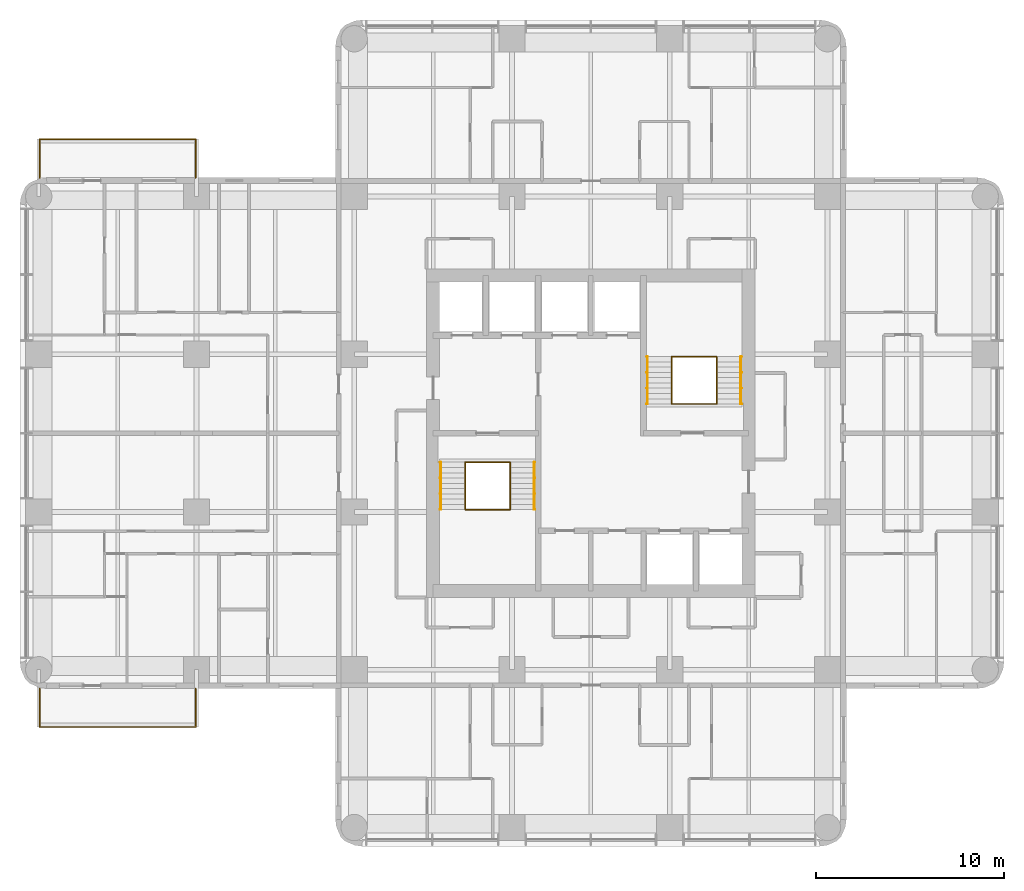
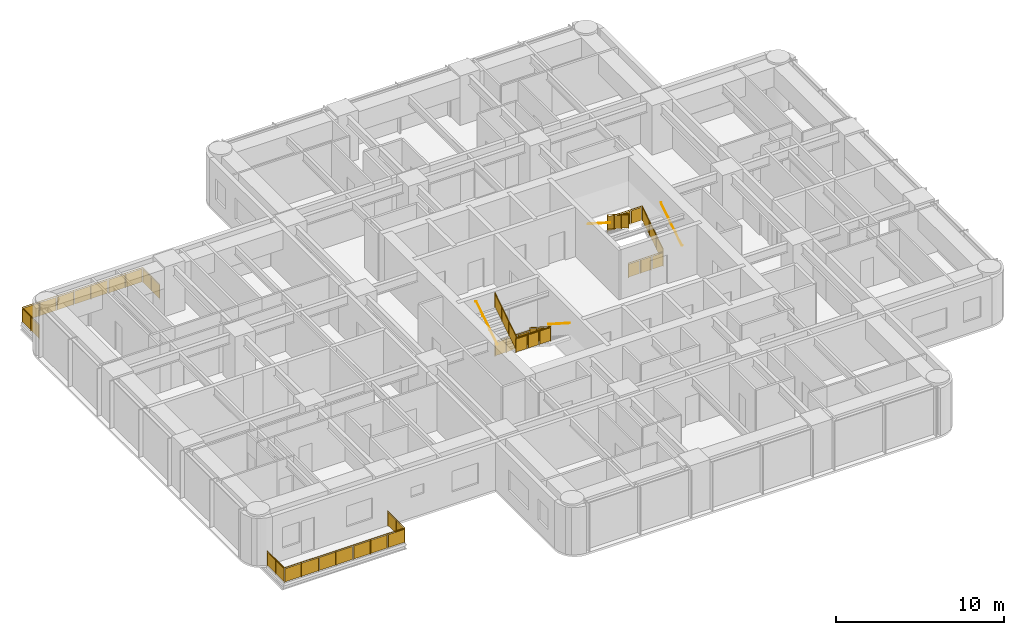
# One storey, part 11 of 11: 14 railings.
"""IFC4 building model written with IfcOpenShell, lengths in metres."""

from ifc_helpers import new_model, si_unit, direction, frame, origin, origin_2d, place, context, subcontext, project, spatial, polyline, circle, outline, extrude, material, constituent, constituent_set, type_object, element, save


model = new_model("IFC4")

# Units and contexts
model_context = context("Model", 3, precision=1e-05, world=origin(), true_north=direction((0.0, 1.0)))
body_context = subcontext(model_context, "Body", "Model", "MODEL_VIEW")
ifc_project = project(units=[si_unit("LENGTHUNIT", "METRE"), si_unit("AREAUNIT", "SQUARE_METRE"), si_unit("VOLUMEUNIT", "CUBIC_METRE"), si_unit("PLANEANGLEUNIT", "RADIAN"), si_unit("MASSUNIT", "GRAM", prefix="KILO")], contexts=[model_context])

# Site, building, storey
site_placement = place(None, origin())
site = spatial("IfcSite", under=ifc_project, at=site_placement, CompositionType="ELEMENT")
building_placement = place(site_placement, origin())
building = spatial("IfcBuilding", under=site, at=building_placement, Name="Torre Alcanfor", CompositionType="ELEMENT")
storey_placement = place(building_placement, frame((0.0, 0.0, 194.10009765625)))
storey = spatial("IfcBuildingStorey", under=building, at=storey_placement, Name="L50", CompositionType="ELEMENT", Elevation=194.10009765625)

# Railings
ifc_material_1 = material(Name="Laminated safety glass", Category="glass")
ifc_constituent_1 = constituent(ifc_material_1, Name="Infill")
ifc_material_2 = material(Name="Stainless steel ASTM A554 Grade MT 316L tube", Category="steel")
ifc_constituent_2 = constituent(ifc_material_2, Name="Posts and rail")
ifc_constituent_set = constituent_set(constituents=[ifc_constituent_1, ifc_constituent_2], Name="Balcony guard glass 1100")
railing_type_1 = type_object("IfcRailingType", Name="Balcony guard glass 1100", PredefinedType="BALUSTRADE", material=ifc_constituent_set)
railing_1_placement = place(storey_placement, frame((8.35009765625, 15.800048828125, 0.0)))
element("IfcRailing", 1, at=railing_1_placement, inside=storey, type_object=railing_type_1, Name="Balcony guard L50-W1", PredefinedType="BALUSTRADE", context=body_context, shape_type="SweptSolid", body=[
    extrude(circle(Radius=0.02392578125, at=origin_2d()), frame((0.0, 0.0, 1.076171875), z_axis=(0.0, -1.0, 0.0), x_axis=(1.0, 0.0, 0.0)), (0.0, 0.0, 1.0), 2.050048828125),
    extrude(circle(Radius=0.02392578125, at=origin_2d()), frame((0.0, -2.050048828125, 1.076171875), z_axis=(-1.0, 0.0, 0.0), x_axis=(0.0, -1.0, 0.0)), (0.0, 0.0, 1.0), 8.300048828125),
    extrude(circle(Radius=0.02392578125, at=origin_2d()), frame((-8.300048828125, -2.050048828125, 1.076171875), z_axis=(0.0, 1.0, 0.0), x_axis=(-1.0, 0.0, 0.0)), (0.0, 0.0, 1.0), 2.050048828125),
    extrude(circle(Radius=0.02099609375, at=origin_2d()), origin(), (0.0, 0.0, 1.0), 1.052001953125),
    extrude(circle(Radius=0.02099609375, at=origin_2d()), frame((0.0, -1.02490234375, 0.0)), (0.0, 0.0, 1.0), 1.052001953125),
    extrude(circle(Radius=0.02099609375, at=origin_2d()), frame((0.0, -2.050048828125, 0.0)), (0.0, 0.0, 1.0), 1.052001953125),
    extrude(circle(Radius=0.02099609375, at=origin_2d()), frame((-1.185791015625, -2.050048828125, 0.0)), (0.0, 0.0, 1.0), 1.052001953125),
    extrude(circle(Radius=0.02099609375, at=origin_2d()), frame((-2.371337890625, -2.050048828125, 0.0)), (0.0, 0.0, 1.0), 1.052001953125),
    extrude(circle(Radius=0.02099609375, at=origin_2d()), frame((-3.55712890625, -2.050048828125, 0.0)), (0.0, 0.0, 1.0), 1.052001953125),
    extrude(circle(Radius=0.02099609375, at=origin_2d()), frame((-4.742919921875, -2.050048828125, 0.0)), (0.0, 0.0, 1.0), 1.052001953125),
    extrude(circle(Radius=0.02099609375, at=origin_2d()), frame((-5.9287109375, -2.050048828125, 0.0)), (0.0, 0.0, 1.0), 1.052001953125),
    extrude(circle(Radius=0.02099609375, at=origin_2d()), frame((-7.1142578125, -2.050048828125, 0.0)), (0.0, 0.0, 1.0), 1.052001953125),
    extrude(circle(Radius=0.02099609375, at=origin_2d()), frame((-8.300048828125, -2.050048828125, 0.0)), (0.0, 0.0, 1.0), 1.052001953125),
    extrude(circle(Radius=0.02099609375, at=origin_2d()), frame((-8.300048828125, -1.02490234375, 0.0)), (0.0, 0.0, 1.0), 1.052001953125),
    extrude(circle(Radius=0.02099609375, at=origin_2d()), frame((-8.300048828125, 0.0, 0.0)), (0.0, 0.0, 1.0), 1.052001953125),
    extrude(outline(polyline([(0.041015625, 0.050048828125), (0.984130859375, 0.050048828125), (0.984130859375, 1.001953125), (0.041015625, 1.001953125), (0.041015625, 0.050048828125)])), frame((0.005859375, 0.0, 0.0), z_axis=(-1.0, 0.0, 0.0), x_axis=(0.0, -1.0, 0.0)), (0.0, 0.0, 1.0), 0.011962890625),
    extrude(outline(polyline([(1.06591796875, 0.050048828125), (2.009033203125, 0.050048828125), (2.009033203125, 1.001953125), (1.06591796875, 1.001953125), (1.06591796875, 0.050048828125)])), frame((0.005859375, 0.0, 0.0), z_axis=(-1.0, 0.0, 0.0), x_axis=(0.0, -1.0, 0.0)), (0.0, 0.0, 1.0), 0.011962890625),
    extrude(outline(polyline([(0.041015625, 0.050048828125), (1.144775390625, 0.050048828125), (1.144775390625, 1.001953125), (0.041015625, 1.001953125), (0.041015625, 0.050048828125)])), frame((0.0, -2.05615234375, 0.0), z_axis=(0.0, 1.0, 0.0), x_axis=(-1.0, 0.0, 0.0)), (0.0, 0.0, 1.0), 0.011962890625),
    extrude(outline(polyline([(1.226806640625, 0.050048828125), (2.330322265625, 0.050048828125), (2.330322265625, 1.001953125), (1.226806640625, 1.001953125), (1.226806640625, 0.050048828125)])), frame((0.0, -2.05615234375, 0.0), z_axis=(0.0, 1.0, 0.0), x_axis=(-1.0, 0.0, 0.0)), (0.0, 0.0, 1.0), 0.011962890625),
    extrude(outline(polyline([(2.412353515625, 0.050048828125), (3.51611328125, 0.050048828125), (3.51611328125, 1.001953125), (2.412353515625, 1.001953125), (2.412353515625, 0.050048828125)])), frame((0.0, -2.05615234375, 0.0), z_axis=(0.0, 1.0, 0.0), x_axis=(-1.0, 0.0, 0.0)), (0.0, 0.0, 1.0), 0.011962890625),
    extrude(outline(polyline([(3.59814453125, 0.050048828125), (4.701904296875, 0.050048828125), (4.701904296875, 1.001953125), (3.59814453125, 1.001953125), (3.59814453125, 0.050048828125)])), frame((0.0, -2.05615234375, 0.0), z_axis=(0.0, 1.0, 0.0), x_axis=(-1.0, 0.0, 0.0)), (0.0, 0.0, 1.0), 0.011962890625),
    extrude(outline(polyline([(4.783935546875, 0.050048828125), (5.8876953125, 0.050048828125), (5.8876953125, 1.001953125), (4.783935546875, 1.001953125), (4.783935546875, 0.050048828125)])), frame((0.0, -2.05615234375, 0.0), z_axis=(0.0, 1.0, 0.0), x_axis=(-1.0, 0.0, 0.0)), (0.0, 0.0, 1.0), 0.011962890625),
    extrude(outline(polyline([(5.9697265625, 0.050048828125), (7.0732421875, 0.050048828125), (7.0732421875, 1.001953125), (5.9697265625, 1.001953125), (5.9697265625, 0.050048828125)])), frame((0.0, -2.05615234375, 0.0), z_axis=(0.0, 1.0, 0.0), x_axis=(-1.0, 0.0, 0.0)), (0.0, 0.0, 1.0), 0.011962890625),
    extrude(outline(polyline([(7.1552734375, 0.050048828125), (8.259033203125, 0.050048828125), (8.259033203125, 1.001953125), (7.1552734375, 1.001953125), (7.1552734375, 0.050048828125)])), frame((0.0, -2.05615234375, 0.0), z_axis=(0.0, 1.0, 0.0), x_axis=(-1.0, 0.0, 0.0)), (0.0, 0.0, 1.0), 0.011962890625),
    extrude(outline(polyline([(0.041015625, 0.050048828125), (0.984130859375, 0.050048828125), (0.984130859375, 1.001953125), (0.041015625, 1.001953125), (0.041015625, 0.050048828125)])), frame((-8.30615234375, -2.050048828125, 0.0), z_axis=(1.0, 0.0, 0.0), x_axis=(0.0, 1.0, 0.0)), (0.0, 0.0, 1.0), 0.011962890625),
    extrude(outline(polyline([(1.06591796875, 0.050048828125), (2.009033203125, 0.050048828125), (2.009033203125, 1.001953125), (1.06591796875, 1.001953125), (1.06591796875, 0.050048828125)])), frame((-8.30615234375, -2.050048828125, 0.0), z_axis=(1.0, 0.0, 0.0), x_axis=(0.0, 1.0, 0.0)), (0.0, 0.0, 1.0), 0.011962890625),
])
railing_2_placement = place(storey_placement, frame((8.35009765625, 43.0, 0.0)))
element("IfcRailing", 2, at=railing_2_placement, inside=storey, type_object=railing_type_1, Name="Balcony guard L50-W2", PredefinedType="BALUSTRADE", context=body_context, shape_type="SweptSolid", body=[
    extrude(circle(Radius=0.02392578125, at=origin_2d()), frame((0.0, 0.0, 1.076171875), z_axis=(0.0, 1.0, 0.0), x_axis=(-1.0, 0.0, 0.0)), (0.0, 0.0, 1.0), 2.050048828125),
    extrude(circle(Radius=0.02392578125, at=origin_2d()), frame((0.0, 2.050048828125, 1.076171875), z_axis=(-1.0, 0.0, 0.0), x_axis=(0.0, -1.0, 0.0)), (0.0, 0.0, 1.0), 8.300048828125),
    extrude(circle(Radius=0.02392578125, at=origin_2d()), frame((-8.300048828125, 2.050048828125, 1.076171875), z_axis=(0.0, -1.0, 0.0), x_axis=(1.0, 0.0, 0.0)), (0.0, 0.0, 1.0), 2.050048828125),
    extrude(circle(Radius=0.02099609375, at=origin_2d()), origin(), (0.0, 0.0, 1.0), 1.052001953125),
    extrude(circle(Radius=0.02099609375, at=origin_2d()), frame((0.0, 1.02490234375, 0.0)), (0.0, 0.0, 1.0), 1.052001953125),
    extrude(circle(Radius=0.02099609375, at=origin_2d()), frame((0.0, 2.050048828125, 0.0)), (0.0, 0.0, 1.0), 1.052001953125),
    extrude(circle(Radius=0.02099609375, at=origin_2d()), frame((-1.185791015625, 2.050048828125, 0.0)), (0.0, 0.0, 1.0), 1.052001953125),
    extrude(circle(Radius=0.02099609375, at=origin_2d()), frame((-2.371337890625, 2.050048828125, 0.0)), (0.0, 0.0, 1.0), 1.052001953125),
    extrude(circle(Radius=0.02099609375, at=origin_2d()), frame((-3.55712890625, 2.050048828125, 0.0)), (0.0, 0.0, 1.0), 1.052001953125),
    extrude(circle(Radius=0.02099609375, at=origin_2d()), frame((-4.742919921875, 2.050048828125, 0.0)), (0.0, 0.0, 1.0), 1.052001953125),
    extrude(circle(Radius=0.02099609375, at=origin_2d()), frame((-5.9287109375, 2.050048828125, 0.0)), (0.0, 0.0, 1.0), 1.052001953125),
    extrude(circle(Radius=0.02099609375, at=origin_2d()), frame((-7.1142578125, 2.050048828125, 0.0)), (0.0, 0.0, 1.0), 1.052001953125),
    extrude(circle(Radius=0.02099609375, at=origin_2d()), frame((-8.300048828125, 2.050048828125, 0.0)), (0.0, 0.0, 1.0), 1.052001953125),
    extrude(circle(Radius=0.02099609375, at=origin_2d()), frame((-8.300048828125, 1.02490234375, 0.0)), (0.0, 0.0, 1.0), 1.052001953125),
    extrude(circle(Radius=0.02099609375, at=origin_2d()), frame((-8.300048828125, 0.0, 0.0)), (0.0, 0.0, 1.0), 1.052001953125),
    extrude(outline(polyline([(0.041015625, 0.050048828125), (0.984130859375, 0.050048828125), (0.984130859375, 1.001953125), (0.041015625, 1.001953125), (0.041015625, 0.050048828125)])), frame((-0.005859375, 0.0, 0.0), z_axis=(1.0, 0.0, 0.0), x_axis=(0.0, 1.0, 0.0)), (0.0, 0.0, 1.0), 0.011962890625),
    extrude(outline(polyline([(1.06591796875, 0.050048828125), (2.009033203125, 0.050048828125), (2.009033203125, 1.001953125), (1.06591796875, 1.001953125), (1.06591796875, 0.050048828125)])), frame((-0.005859375, 0.0, 0.0), z_axis=(1.0, 0.0, 0.0), x_axis=(0.0, 1.0, 0.0)), (0.0, 0.0, 1.0), 0.011962890625),
    extrude(outline(polyline([(0.041015625, 0.050048828125), (1.144775390625, 0.050048828125), (1.144775390625, 1.001953125), (0.041015625, 1.001953125), (0.041015625, 0.050048828125)])), frame((0.0, 2.0439453125, 0.0), z_axis=(0.0, 1.0, 0.0), x_axis=(-1.0, 0.0, 0.0)), (0.0, 0.0, 1.0), 0.011962890625),
    extrude(outline(polyline([(1.226806640625, 0.050048828125), (2.330322265625, 0.050048828125), (2.330322265625, 1.001953125), (1.226806640625, 1.001953125), (1.226806640625, 0.050048828125)])), frame((0.0, 2.0439453125, 0.0), z_axis=(0.0, 1.0, 0.0), x_axis=(-1.0, 0.0, 0.0)), (0.0, 0.0, 1.0), 0.011962890625),
    extrude(outline(polyline([(2.412353515625, 0.050048828125), (3.51611328125, 0.050048828125), (3.51611328125, 1.001953125), (2.412353515625, 1.001953125), (2.412353515625, 0.050048828125)])), frame((0.0, 2.0439453125, 0.0), z_axis=(0.0, 1.0, 0.0), x_axis=(-1.0, 0.0, 0.0)), (0.0, 0.0, 1.0), 0.011962890625),
    extrude(outline(polyline([(3.59814453125, 0.050048828125), (4.701904296875, 0.050048828125), (4.701904296875, 1.001953125), (3.59814453125, 1.001953125), (3.59814453125, 0.050048828125)])), frame((0.0, 2.0439453125, 0.0), z_axis=(0.0, 1.0, 0.0), x_axis=(-1.0, 0.0, 0.0)), (0.0, 0.0, 1.0), 0.011962890625),
    extrude(outline(polyline([(4.783935546875, 0.050048828125), (5.8876953125, 0.050048828125), (5.8876953125, 1.001953125), (4.783935546875, 1.001953125), (4.783935546875, 0.050048828125)])), frame((0.0, 2.0439453125, 0.0), z_axis=(0.0, 1.0, 0.0), x_axis=(-1.0, 0.0, 0.0)), (0.0, 0.0, 1.0), 0.011962890625),
    extrude(outline(polyline([(5.9697265625, 0.050048828125), (7.0732421875, 0.050048828125), (7.0732421875, 1.001953125), (5.9697265625, 1.001953125), (5.9697265625, 0.050048828125)])), frame((0.0, 2.0439453125, 0.0), z_axis=(0.0, 1.0, 0.0), x_axis=(-1.0, 0.0, 0.0)), (0.0, 0.0, 1.0), 0.011962890625),
    extrude(outline(polyline([(7.1552734375, 0.050048828125), (8.259033203125, 0.050048828125), (8.259033203125, 1.001953125), (7.1552734375, 1.001953125), (7.1552734375, 0.050048828125)])), frame((0.0, 2.0439453125, 0.0), z_axis=(0.0, 1.0, 0.0), x_axis=(-1.0, 0.0, 0.0)), (0.0, 0.0, 1.0), 0.011962890625),
    extrude(outline(polyline([(0.041015625, 0.050048828125), (0.984130859375, 0.050048828125), (0.984130859375, 1.001953125), (0.041015625, 1.001953125), (0.041015625, 0.050048828125)])), frame((-8.2939453125, 2.050048828125, 0.0), z_axis=(-1.0, 0.0, 0.0), x_axis=(0.0, -1.0, 0.0)), (0.0, 0.0, 1.0), 0.011962890625),
    extrude(outline(polyline([(1.06591796875, 0.050048828125), (2.009033203125, 0.050048828125), (2.009033203125, 1.001953125), (1.06591796875, 1.001953125), (1.06591796875, 0.050048828125)])), frame((-8.2939453125, 2.050048828125, 0.0), z_axis=(-1.0, 0.0, 0.0), x_axis=(0.0, -1.0, 0.0)), (0.0, 0.0, 1.0), 0.011962890625),
])
ifc_material_3 = material(Name="Steel ASTM A500 Grade C hollow sections", Category="steel")
railing_type_2 = type_object("IfcRailingType", Name="Stair guard and handrail 1100", PredefinedType="GUARDRAIL", material=ifc_material_3)
railing_3_placement = place(storey_placement, frame((25.10009765625, 27.85009765625, 0.179931640625)))
element("IfcRailing", 3, at=railing_3_placement, inside=storey, type_object=railing_type_2, Name="Stair guard S1 L50 flight 1", PredefinedType="GUARDRAIL", context=body_context, shape_type="SweptSolid", body=[
    extrude(circle(Radius=0.02392578125, at=origin_2d()), frame((0.0, 0.0, 1.076171875), z_axis=(0.0, -0.841199657755, 0.540724639528), x_axis=(1.0, 0.0, 0.0)), (0.0, 0.0, 1.0), 2.995849609375),
    extrude(circle(Radius=0.02099609375, at=origin_2d()), origin(), (0.0, 0.0, 1.0), 1.052001953125),
    extrude(circle(Radius=0.02099609375, at=origin_2d()), frame((0.0, -0.840087890625, 0.5400390625)), (0.0, 0.0, 1.0), 1.052001953125),
    extrude(circle(Radius=0.02099609375, at=origin_2d()), frame((0.0, -1.679931640625, 1.079833984375)), (0.0, 0.0, 1.0), 1.052001953125),
    extrude(circle(Radius=0.02099609375, at=origin_2d()), frame((0.0, -2.52001953125, 1.619873046875)), (0.0, 0.0, 1.0), 1.052001953125),
    extrude(outline(polyline([(0.041015625, 0.076416015625), (0.799072265625, 0.563720703125), (0.799072265625, 1.515625), (0.041015625, 1.0283203125), (0.041015625, 0.076416015625)])), frame((0.005859375, 0.0, 0.0), z_axis=(-1.0, 0.0, 0.0), x_axis=(0.0, -1.0, 0.0)), (0.0, 0.0, 1.0), 0.011962890625),
    extrude(outline(polyline([(0.881103515625, 0.6162109375), (1.638916015625, 1.103515625), (1.638916015625, 2.0556640625), (0.881103515625, 1.568359375), (0.881103515625, 0.6162109375)])), frame((0.005859375, 0.0, 0.0), z_axis=(-1.0, 0.0, 0.0), x_axis=(0.0, -1.0, 0.0)), (0.0, 0.0, 1.0), 0.011962890625),
    extrude(outline(polyline([(1.720947265625, 1.15625), (2.47900390625, 1.6435546875), (2.47900390625, 2.595458984375), (1.720947265625, 2.108154296875), (1.720947265625, 1.15625)])), frame((0.005859375, 0.0, 0.0), z_axis=(-1.0, 0.0, 0.0), x_axis=(0.0, -1.0, 0.0)), (0.0, 0.0, 1.0), 0.011962890625),
])
railing_4_placement = place(storey_placement, frame((22.699951171875, 25.330078125, 1.97998046875)))
element("IfcRailing", 4, at=railing_4_placement, inside=storey, type_object=railing_type_2, Name="Stair guard S1 L50 flight 2", PredefinedType="GUARDRAIL", context=body_context, shape_type="SweptSolid", body=[
    extrude(circle(Radius=0.02392578125, at=origin_2d()), frame((0.0, 0.0, 1.076171875), z_axis=(0.0, 0.841199657755, 0.540724639528), x_axis=(-1.0, 0.0, 0.0)), (0.0, 0.0, 1.0), 2.995849609375),
    extrude(circle(Radius=0.02099609375, at=origin_2d()), origin(), (0.0, 0.0, 1.0), 1.052001953125),
    extrude(circle(Radius=0.02099609375, at=origin_2d()), frame((0.0, 0.840087890625, 0.5400390625)), (0.0, 0.0, 1.0), 1.052001953125),
    extrude(circle(Radius=0.02099609375, at=origin_2d()), frame((0.0, 1.679931640625, 1.079833984375)), (0.0, 0.0, 1.0), 1.052001953125),
    extrude(circle(Radius=0.02099609375, at=origin_2d()), frame((0.0, 2.52001953125, 1.619873046875)), (0.0, 0.0, 1.0), 1.052001953125),
    extrude(outline(polyline([(0.041015625, 0.076416015625), (0.799072265625, 0.563720703125), (0.799072265625, 1.515625), (0.041015625, 1.0283203125), (0.041015625, 0.076416015625)])), frame((-0.005859375, 0.0, 0.0), z_axis=(1.0, 0.0, 0.0), x_axis=(0.0, 1.0, 0.0)), (0.0, 0.0, 1.0), 0.011962890625),
    extrude(outline(polyline([(0.881103515625, 0.6162109375), (1.638916015625, 1.103515625), (1.638916015625, 2.0556640625), (0.881103515625, 1.568359375), (0.881103515625, 0.6162109375)])), frame((-0.005859375, 0.0, 0.0), z_axis=(1.0, 0.0, 0.0), x_axis=(0.0, 1.0, 0.0)), (0.0, 0.0, 1.0), 0.011962890625),
    extrude(outline(polyline([(1.720947265625, 1.15625), (2.47900390625, 1.6435546875), (2.47900390625, 2.595458984375), (1.720947265625, 2.108154296875), (1.720947265625, 1.15625)])), frame((-0.005859375, 0.0, 0.0), z_axis=(1.0, 0.0, 0.0), x_axis=(0.0, 1.0, 0.0)), (0.0, 0.0, 1.0), 0.011962890625),
])
for number, where, name in (
    (5, (22.699951171875, 27.85009765625, 0.0), "Stair well guard S1 L50 floor landing"),
    (6, (22.699951171875, 25.330078125, 1.7998046875), "Stair well guard S1 L50 half landing"),
):
    element("IfcRailing", number, at=place(storey_placement, frame(where)), inside=storey, type_object=railing_type_2, Name=name, PredefinedType="GUARDRAIL", context=body_context, shape_type="SweptSolid", body=[
        extrude(circle(Radius=0.02392578125, at=origin_2d()), frame((0.0, 0.0, 1.076171875), z_axis=(1.0, 0.0, 0.0), x_axis=(0.0, 1.0, 0.0)), (0.0, 0.0, 1.0), 2.400146484375),
        extrude(circle(Radius=0.02099609375, at=origin_2d()), origin(), (0.0, 0.0, 1.0), 1.052001953125),
        extrude(circle(Radius=0.02099609375, at=origin_2d()), frame((0.800048828125, 0.0, 0.0)), (0.0, 0.0, 1.0), 1.052001953125),
        extrude(circle(Radius=0.02099609375, at=origin_2d()), frame((1.60009765625, 0.0, 0.0)), (0.0, 0.0, 1.0), 1.052001953125),
        extrude(circle(Radius=0.02099609375, at=origin_2d()), frame((2.400146484375, 0.0, 0.0)), (0.0, 0.0, 1.0), 1.052001953125),
        extrude(outline(polyline([(0.041015625, 0.050048828125), (0.759033203125, 0.050048828125), (0.759033203125, 1.001953125), (0.041015625, 1.001953125), (0.041015625, 0.050048828125)])), frame((0.0, 0.005859375, 0.0), z_axis=(0.0, -1.0, 0.0), x_axis=(1.0, 0.0, 0.0)), (0.0, 0.0, 1.0), 0.011962890625),
        extrude(outline(polyline([(0.841064453125, 0.050048828125), (1.55908203125, 0.050048828125), (1.55908203125, 1.001953125), (0.841064453125, 1.001953125), (0.841064453125, 0.050048828125)])), frame((0.0, 0.005859375, 0.0), z_axis=(0.0, -1.0, 0.0), x_axis=(1.0, 0.0, 0.0)), (0.0, 0.0, 1.0), 0.011962890625),
        extrude(outline(polyline([(1.64111328125, 0.050048828125), (2.359130859375, 0.050048828125), (2.359130859375, 1.001953125), (1.64111328125, 1.001953125), (1.64111328125, 0.050048828125)])), frame((0.0, 0.005859375, 0.0), z_axis=(0.0, -1.0, 0.0), x_axis=(1.0, 0.0, 0.0)), (0.0, 0.0, 1.0), 0.011962890625),
    ])
railing_5_placement = place(storey_placement, frame((36.10009765625, 30.949951171875, 0.179931640625)))
element("IfcRailing", 7, at=railing_5_placement, inside=storey, type_object=railing_type_2, Name="Stair guard S2 L50 flight 1", PredefinedType="GUARDRAIL", context=body_context, shape_type="SweptSolid", body=[
    extrude(circle(Radius=0.02392578125, at=origin_2d()), frame((0.0, 0.0, 1.076171875), z_axis=(0.0, 0.841199657755, 0.540724639528), x_axis=(-1.0, 0.0, 0.0)), (0.0, 0.0, 1.0), 2.995849609375),
    extrude(circle(Radius=0.02099609375, at=origin_2d()), origin(), (0.0, 0.0, 1.0), 1.052001953125),
    extrude(circle(Radius=0.02099609375, at=origin_2d()), frame((0.0, 0.840087890625, 0.5400390625)), (0.0, 0.0, 1.0), 1.052001953125),
    extrude(circle(Radius=0.02099609375, at=origin_2d()), frame((0.0, 1.679931640625, 1.079833984375)), (0.0, 0.0, 1.0), 1.052001953125),
    extrude(circle(Radius=0.02099609375, at=origin_2d()), frame((0.0, 2.52001953125, 1.619873046875)), (0.0, 0.0, 1.0), 1.052001953125),
    extrude(outline(polyline([(0.041015625, 0.076416015625), (0.799072265625, 0.563720703125), (0.799072265625, 1.515625), (0.041015625, 1.0283203125), (0.041015625, 0.076416015625)])), frame((-0.005859375, 0.0, 0.0), z_axis=(1.0, 0.0, 0.0), x_axis=(0.0, 1.0, 0.0)), (0.0, 0.0, 1.0), 0.011962890625),
    extrude(outline(polyline([(0.881103515625, 0.6162109375), (1.638916015625, 1.103515625), (1.638916015625, 2.0556640625), (0.881103515625, 1.568359375), (0.881103515625, 0.6162109375)])), frame((-0.005859375, 0.0, 0.0), z_axis=(1.0, 0.0, 0.0), x_axis=(0.0, 1.0, 0.0)), (0.0, 0.0, 1.0), 0.011962890625),
    extrude(outline(polyline([(1.720947265625, 1.15625), (2.47900390625, 1.6435546875), (2.47900390625, 2.595458984375), (1.720947265625, 2.108154296875), (1.720947265625, 1.15625)])), frame((-0.005859375, 0.0, 0.0), z_axis=(1.0, 0.0, 0.0), x_axis=(0.0, 1.0, 0.0)), (0.0, 0.0, 1.0), 0.011962890625),
])
railing_6_placement = place(storey_placement, frame((33.699951171875, 33.469970703125, 1.97998046875)))
element("IfcRailing", 8, at=railing_6_placement, inside=storey, type_object=railing_type_2, Name="Stair guard S2 L50 flight 2", PredefinedType="GUARDRAIL", context=body_context, shape_type="SweptSolid", body=[
    extrude(circle(Radius=0.02392578125, at=origin_2d()), frame((0.0, 0.0, 1.076171875), z_axis=(0.0, -0.841199657755, 0.540724639528), x_axis=(1.0, 0.0, 0.0)), (0.0, 0.0, 1.0), 2.995849609375),
    extrude(circle(Radius=0.02099609375, at=origin_2d()), origin(), (0.0, 0.0, 1.0), 1.052001953125),
    extrude(circle(Radius=0.02099609375, at=origin_2d()), frame((0.0, -0.840087890625, 0.5400390625)), (0.0, 0.0, 1.0), 1.052001953125),
    extrude(circle(Radius=0.02099609375, at=origin_2d()), frame((0.0, -1.679931640625, 1.079833984375)), (0.0, 0.0, 1.0), 1.052001953125),
    extrude(circle(Radius=0.02099609375, at=origin_2d()), frame((0.0, -2.52001953125, 1.619873046875)), (0.0, 0.0, 1.0), 1.052001953125),
    extrude(outline(polyline([(0.041015625, 0.076416015625), (0.799072265625, 0.563720703125), (0.799072265625, 1.515625), (0.041015625, 1.0283203125), (0.041015625, 0.076416015625)])), frame((0.005859375, 0.0, 0.0), z_axis=(-1.0, 0.0, 0.0), x_axis=(0.0, -1.0, 0.0)), (0.0, 0.0, 1.0), 0.011962890625),
    extrude(outline(polyline([(0.881103515625, 0.6162109375), (1.638916015625, 1.103515625), (1.638916015625, 2.0556640625), (0.881103515625, 1.568359375), (0.881103515625, 0.6162109375)])), frame((0.005859375, 0.0, 0.0), z_axis=(-1.0, 0.0, 0.0), x_axis=(0.0, -1.0, 0.0)), (0.0, 0.0, 1.0), 0.011962890625),
    extrude(outline(polyline([(1.720947265625, 1.15625), (2.47900390625, 1.6435546875), (2.47900390625, 2.595458984375), (1.720947265625, 2.108154296875), (1.720947265625, 1.15625)])), frame((0.005859375, 0.0, 0.0), z_axis=(-1.0, 0.0, 0.0), x_axis=(0.0, -1.0, 0.0)), (0.0, 0.0, 1.0), 0.011962890625),
])
for number, where, name in (
    (9, (33.699951171875, 30.949951171875, 0.0), "Stair well guard S2 L50 floor landing"),
    (10, (33.699951171875, 33.469970703125, 1.7998046875), "Stair well guard S2 L50 half landing"),
):
    element("IfcRailing", number, at=place(storey_placement, frame(where)), inside=storey, type_object=railing_type_2, Name=name, PredefinedType="GUARDRAIL", context=body_context, shape_type="SweptSolid", body=[
        extrude(circle(Radius=0.02392578125, at=origin_2d()), frame((0.0, 0.0, 1.076171875), z_axis=(1.0, 0.0, 0.0), x_axis=(0.0, 1.0, 0.0)), (0.0, 0.0, 1.0), 2.400146484375),
        extrude(circle(Radius=0.02099609375, at=origin_2d()), origin(), (0.0, 0.0, 1.0), 1.052001953125),
        extrude(circle(Radius=0.02099609375, at=origin_2d()), frame((0.800048828125, 0.0, 0.0)), (0.0, 0.0, 1.0), 1.052001953125),
        extrude(circle(Radius=0.02099609375, at=origin_2d()), frame((1.60009765625, 0.0, 0.0)), (0.0, 0.0, 1.0), 1.052001953125),
        extrude(circle(Radius=0.02099609375, at=origin_2d()), frame((2.400146484375, 0.0, 0.0)), (0.0, 0.0, 1.0), 1.052001953125),
        extrude(outline(polyline([(0.041015625, 0.050048828125), (0.759033203125, 0.050048828125), (0.759033203125, 1.001953125), (0.041015625, 1.001953125), (0.041015625, 0.050048828125)])), frame((0.0, 0.005859375, 0.0), z_axis=(0.0, -1.0, 0.0), x_axis=(1.0, 0.0, 0.0)), (0.0, 0.0, 1.0), 0.011962890625),
        extrude(outline(polyline([(0.841064453125, 0.050048828125), (1.55908203125, 0.050048828125), (1.55908203125, 1.001953125), (0.841064453125, 1.001953125), (0.841064453125, 0.050048828125)])), frame((0.0, 0.005859375, 0.0), z_axis=(0.0, -1.0, 0.0), x_axis=(1.0, 0.0, 0.0)), (0.0, 0.0, 1.0), 0.011962890625),
        extrude(outline(polyline([(1.64111328125, 0.050048828125), (2.359130859375, 0.050048828125), (2.359130859375, 1.001953125), (1.64111328125, 1.001953125), (1.64111328125, 0.050048828125)])), frame((0.0, 0.005859375, 0.0), z_axis=(0.0, -1.0, 0.0), x_axis=(1.0, 0.0, 0.0)), (0.0, 0.0, 1.0), 0.011962890625),
    ])
ifc_material_4 = material(Name="Steel ASTM A500 Grade C hollow sections", Category="steel")
railing_type_3 = type_object("IfcRailingType", Name="Stair wall handrail 900", PredefinedType="HANDRAIL", material=ifc_material_4)
railing_7_placement = place(storey_placement, frame((26.385009765625, 27.85009765625, 0.179931640625)))
element("IfcRailing", 11, at=railing_7_placement, inside=storey, type_object=railing_type_3, Name="Stair handrail S1 L50 flight 1", PredefinedType="HANDRAIL", context=body_context, shape_type="SweptSolid", body=[
    extrude(circle(Radius=0.02392578125, at=origin_2d()), frame((0.0, 0.0, 0.8759765625), z_axis=(0.0, -0.841199657755, 0.540724639528), x_axis=(1.0, 0.0, 0.0)), (0.0, 0.0, 1.0), 2.995849609375),
    extrude(circle(Radius=0.008056640625, at=origin_2d()), frame((0.0, 0.0, 0.8759765625), z_axis=(1.0, 0.0, 0.0), x_axis=(0.0, 0.0, 1.0)), (0.0, 0.0, 1.0), 0.06494140625),
    extrude(circle(Radius=0.008056640625, at=origin_2d()), frame((0.0, -0.840087890625, 1.415771484375), z_axis=(1.0, 0.0, 0.0), x_axis=(0.0, 0.0, 1.0)), (0.0, 0.0, 1.0), 0.06494140625),
    extrude(circle(Radius=0.008056640625, at=origin_2d()), frame((0.0, -1.679931640625, 1.955810546875), z_axis=(1.0, 0.0, 0.0), x_axis=(0.0, 0.0, 1.0)), (0.0, 0.0, 1.0), 0.06494140625),
    extrude(circle(Radius=0.008056640625, at=origin_2d()), frame((0.0, -2.52001953125, 2.49560546875), z_axis=(1.0, 0.0, 0.0), x_axis=(0.0, 0.0, 1.0)), (0.0, 0.0, 1.0), 0.06494140625),
])
railing_8_placement = place(storey_placement, frame((21.4150390625, 25.330078125, 1.97998046875)))
element("IfcRailing", 12, at=railing_8_placement, inside=storey, type_object=railing_type_3, Name="Stair handrail S1 L50 flight 2", PredefinedType="HANDRAIL", context=body_context, shape_type="SweptSolid", body=[
    extrude(circle(Radius=0.02392578125, at=origin_2d()), frame((0.0, 0.0, 0.8759765625), z_axis=(0.0, 0.841199657755, 0.540724639528), x_axis=(-1.0, 0.0, 0.0)), (0.0, 0.0, 1.0), 2.995849609375),
    extrude(circle(Radius=0.008056640625, at=origin_2d()), frame((0.0, 0.0, 0.8759765625), z_axis=(-1.0, 0.0, 0.0), x_axis=(0.0, 0.0, 1.0)), (0.0, 0.0, 1.0), 0.06494140625),
    extrude(circle(Radius=0.008056640625, at=origin_2d()), frame((0.0, 0.840087890625, 1.415771484375), z_axis=(-1.0, 0.0, 0.0), x_axis=(0.0, 0.0, 1.0)), (0.0, 0.0, 1.0), 0.06494140625),
    extrude(circle(Radius=0.008056640625, at=origin_2d()), frame((0.0, 1.679931640625, 1.955810546875), z_axis=(-1.0, 0.0, 0.0), x_axis=(0.0, 0.0, 1.0)), (0.0, 0.0, 1.0), 0.06494140625),
    extrude(circle(Radius=0.008056640625, at=origin_2d()), frame((0.0, 2.52001953125, 2.49560546875), z_axis=(-1.0, 0.0, 0.0), x_axis=(0.0, 0.0, 1.0)), (0.0, 0.0, 1.0), 0.06494140625),
])
railing_9_placement = place(storey_placement, frame((37.385009765625, 30.949951171875, 0.179931640625)))
element("IfcRailing", 13, at=railing_9_placement, inside=storey, type_object=railing_type_3, Name="Stair handrail S2 L50 flight 1", PredefinedType="HANDRAIL", context=body_context, shape_type="SweptSolid", body=[
    extrude(circle(Radius=0.02392578125, at=origin_2d()), frame((0.0, 0.0, 0.8759765625), z_axis=(0.0, 0.841199657755, 0.540724639528), x_axis=(-1.0, 0.0, 0.0)), (0.0, 0.0, 1.0), 2.995849609375),
    extrude(circle(Radius=0.008056640625, at=origin_2d()), frame((0.0, 0.0, 0.8759765625), z_axis=(1.0, 0.0, 0.0), x_axis=(0.0, 0.0, 1.0)), (0.0, 0.0, 1.0), 0.06494140625),
    extrude(circle(Radius=0.008056640625, at=origin_2d()), frame((0.0, 0.840087890625, 1.415771484375), z_axis=(1.0, 0.0, 0.0), x_axis=(0.0, 0.0, 1.0)), (0.0, 0.0, 1.0), 0.06494140625),
    extrude(circle(Radius=0.008056640625, at=origin_2d()), frame((0.0, 1.679931640625, 1.955810546875), z_axis=(1.0, 0.0, 0.0), x_axis=(0.0, 0.0, 1.0)), (0.0, 0.0, 1.0), 0.06494140625),
    extrude(circle(Radius=0.008056640625, at=origin_2d()), frame((0.0, 2.52001953125, 2.49560546875), z_axis=(1.0, 0.0, 0.0), x_axis=(0.0, 0.0, 1.0)), (0.0, 0.0, 1.0), 0.06494140625),
])
railing_10_placement = place(storey_placement, frame((32.4150390625, 33.469970703125, 1.97998046875)))
element("IfcRailing", 14, at=railing_10_placement, inside=storey, type_object=railing_type_3, Name="Stair handrail S2 L50 flight 2", PredefinedType="HANDRAIL", context=body_context, shape_type="SweptSolid", body=[
    extrude(circle(Radius=0.02392578125, at=origin_2d()), frame((0.0, 0.0, 0.8759765625), z_axis=(0.0, -0.841199657755, 0.540724639528), x_axis=(1.0, 0.0, 0.0)), (0.0, 0.0, 1.0), 2.995849609375),
    extrude(circle(Radius=0.008056640625, at=origin_2d()), frame((0.0, 0.0, 0.8759765625), z_axis=(-1.0, 0.0, 0.0), x_axis=(0.0, 0.0, 1.0)), (0.0, 0.0, 1.0), 0.06494140625),
    extrude(circle(Radius=0.008056640625, at=origin_2d()), frame((0.0, -0.840087890625, 1.415771484375), z_axis=(-1.0, 0.0, 0.0), x_axis=(0.0, 0.0, 1.0)), (0.0, 0.0, 1.0), 0.06494140625),
    extrude(circle(Radius=0.008056640625, at=origin_2d()), frame((0.0, -1.679931640625, 1.955810546875), z_axis=(-1.0, 0.0, 0.0), x_axis=(0.0, 0.0, 1.0)), (0.0, 0.0, 1.0), 0.06494140625),
    extrude(circle(Radius=0.008056640625, at=origin_2d()), frame((0.0, -2.52001953125, 2.49560546875), z_axis=(-1.0, 0.0, 0.0), x_axis=(0.0, 0.0, 1.0)), (0.0, 0.0, 1.0), 0.06494140625),
])

save(model, "model.ifc")
